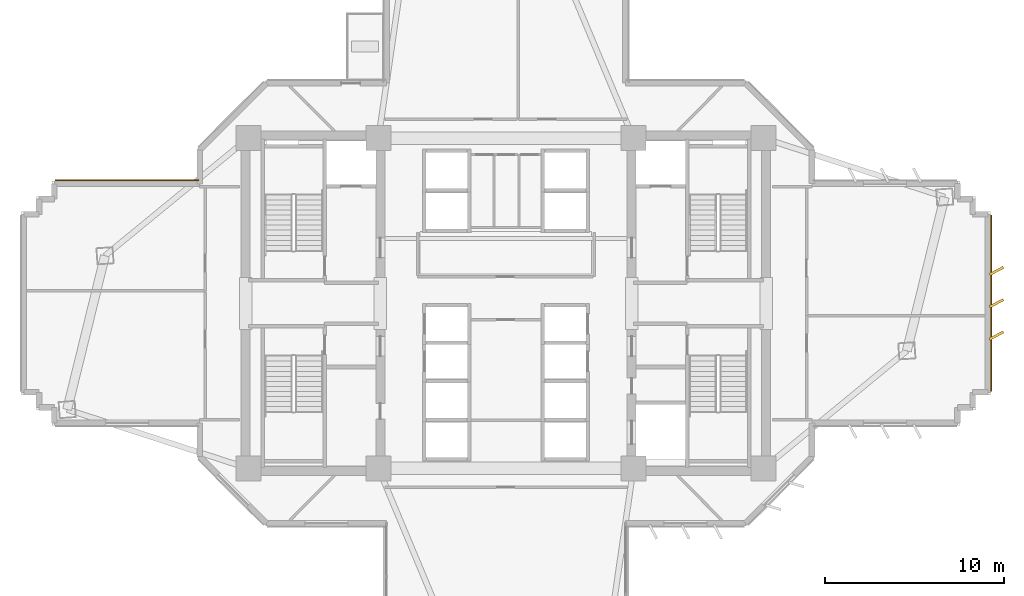
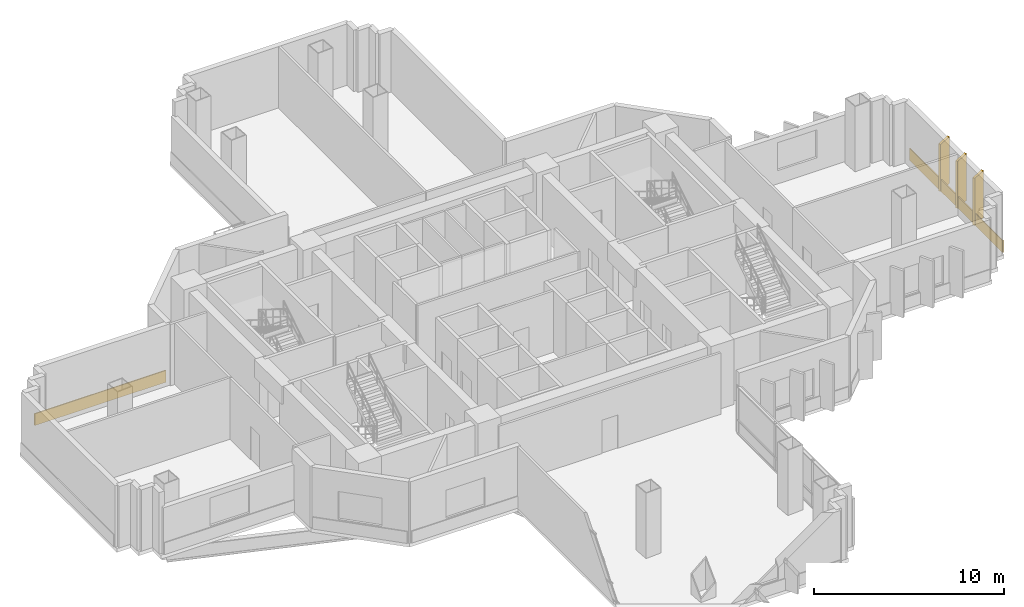
# One storey, part 12 of 14: 3 shading devices, 2 coverings.
"""IFC4 building model written with IfcOpenShell, lengths in metres."""

from ifc_helpers import new_model, si_unit, direction, frame, origin, origin_2d, place, context, subcontext, project, spatial, rectangle, extrude, source, transform, mapped, material, layer, layer_set, type_object, element, save


model = new_model("IFC4")

# Units and contexts
model_context = context("Model", 3, precision=1e-05, world=origin(), true_north=direction((0.0, 1.0)))
body_context = subcontext(model_context, "Body", "Model", "MODEL_VIEW")
ifc_project = project(units=[si_unit("LENGTHUNIT", "METRE"), si_unit("AREAUNIT", "SQUARE_METRE"), si_unit("VOLUMEUNIT", "CUBIC_METRE"), si_unit("PLANEANGLEUNIT", "RADIAN"), si_unit("MASSUNIT", "GRAM", prefix="KILO")], contexts=[model_context])

# Site, building, storey
site_placement = place(None, origin())
site = spatial("IfcSite", under=ifc_project, at=site_placement, CompositionType="ELEMENT")
building_placement = place(site_placement, origin())
building = spatial("IfcBuilding", under=site, at=building_placement, Name="Zahravan Cultural Tower", CompositionType="ELEMENT")
storey_placement = place(building_placement, frame((0.0, 0.0, 33.300048828125)))
storey = spatial("IfcBuildingStorey", under=building, at=storey_placement, Name="L06", CompositionType="ELEMENT", Elevation=33.300048828125)

# Covering
ifc_material_1 = material(Name="Terracotta ceramic cladding", Category="masonry")
ifc_layer = layer(ifc_material_1, 0.06005859375)
ifc_layer_set = layer_set([ifc_layer], Name="Terracotta ceramic cladding")
covering_type = type_object("IfcCoveringType", Name="COV-CLAD-TC60", PredefinedType="CLADDING", material=ifc_layer_set)
shared_shape_1 = source(origin(), body_context, "Body", "SweptSolid", [
    extrude(rectangle(XDim=8.0, YDim=0.06005859375, at=origin_2d()), origin(), (0.0, 0.0, 1.0), 0.760009765625),
])
covering_1_placement = place(storey_placement, frame((14.889892578125, 33.844970703125, 0.02001953125), z_axis=(0.0, 0.0, 1.0), x_axis=(1.0, 0.0, 0.0)))
element("IfcCovering", 1, at=covering_1_placement, inside=storey, type_object=covering_type, Name="L06 Terracotta Spandrel Cladding 37", PredefinedType="CLADDING", context=body_context, shape_type="MappedRepresentation", body=[
    mapped(shared_shape_1, transform((0.0, 0.0, 0.0), x_axis=(1.0, 0.0, 0.0), y_axis=(0.0, 1.0, 0.0), z_axis=(0.0, 0.0, 1.0), scale=1.0)),
])

# Shading devices
ifc_material_2 = material(Name="Architectural terracotta fin", Category="masonry")
shading_device_type = type_object("IfcShadingDeviceType", Name="SHD-FIN-880", PredefinedType="USERDEFINED", material=ifc_material_2)
shared_shape_2 = source(origin(), body_context, "Body", "SweptSolid", [
    extrude(rectangle(XDim=0.8798828125, YDim=0.139892578125, at=origin_2d()), origin(), (0.0, 0.0, 1.0), 3.030029296875),
])
for number, where, z_axis, x_axis, name in (
    (2, (63.330078125, 28.800048828125, 0.0498046875), (0.0, 0.0, 1.0), (0.882947592859, 0.469471562786, 0.0), "L06 Herringbone Terracotta Fin 04"),
    (3, (63.330078125, 27.0, 0.0498046875), (0.0, 0.0, 1.0), (0.882947592859, 0.469471562786, 0.0), "L06 Herringbone Terracotta Fin 05"),
    (4, (63.330078125, 25.199951171875, 0.0498046875), (0.0, 0.0, 1.0), (0.882947592859, 0.469471562786, 0.0), "L06 Herringbone Terracotta Fin 06"),
):
    element("IfcShadingDevice", number, at=place(storey_placement, frame(where, z_axis=z_axis, x_axis=x_axis)), inside=storey, type_object=shading_device_type, Name=name, ObjectType="FIN", PredefinedType="USERDEFINED", context=body_context, shape_type="MappedRepresentation", body=[
        mapped(shared_shape_2, transform((0.0, 0.0, 0.0), x_axis=(1.0, 0.0, 0.0), y_axis=(0.0, 1.0, 0.0), z_axis=(0.0, 0.0, 1.0), scale=1.0)),
    ])

# Covering
shared_shape_3 = source(origin(), body_context, "Body", "SweptSolid", [
    extrude(rectangle(XDim=9.820068359375, YDim=0.06005859375, at=origin_2d()), origin(), (0.0, 0.0, 1.0), 0.760009765625),
])
covering_2_placement = place(storey_placement, frame((63.044921875, 27.0, 0.02001953125), z_axis=(0.0, 0.0, 1.0), x_axis=(0.0, -1.0, 0.0)))
element("IfcCovering", 5, at=covering_2_placement, inside=storey, type_object=covering_type, Name="L06 Terracotta Spandrel Cladding 06", PredefinedType="CLADDING", context=body_context, shape_type="MappedRepresentation", body=[
    mapped(shared_shape_3, transform((0.0, 0.0, 0.0), x_axis=(1.0, 0.0, 0.0), y_axis=(0.0, 1.0, 0.0), z_axis=(0.0, 0.0, 1.0), scale=1.0)),
])

save(model, "model.ifc")
